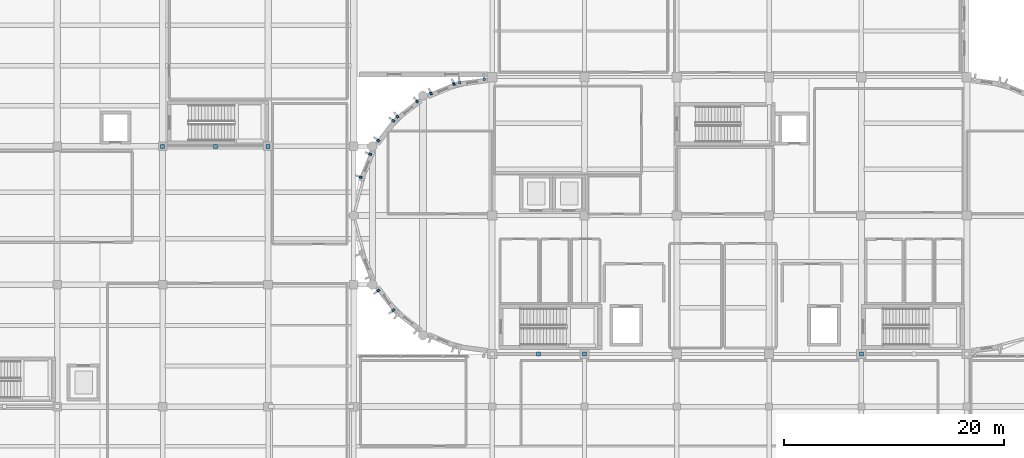
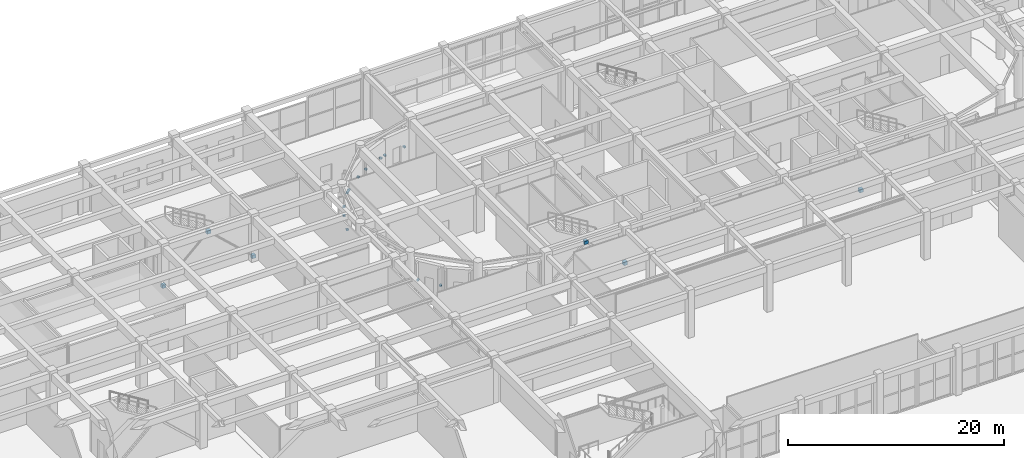
# One storey, part 81 of 98: 18 discrete accessories.
"""IFC4 building model written with IfcOpenShell, lengths in metres."""

from ifc_helpers import new_model, si_unit, direction, frame, origin, origin_2d, place, context, subcontext, project, spatial, rectangle, extrude, material, type_object, element, save


model = new_model("IFC4")

# Units and contexts
model_context = context("Model", 3, precision=1e-05, world=origin(), true_north=direction((0.0, 1.0)))
body_context = subcontext(model_context, "Body", "Model", "MODEL_VIEW")
ifc_project = project(units=[si_unit("LENGTHUNIT", "METRE"), si_unit("AREAUNIT", "SQUARE_METRE"), si_unit("VOLUMEUNIT", "CUBIC_METRE"), si_unit("PLANEANGLEUNIT", "RADIAN"), si_unit("MASSUNIT", "GRAM", prefix="KILO")], contexts=[model_context])

# Site, building, storey
site_placement = place(None, origin())
site = spatial("IfcSite", under=ifc_project, at=site_placement, CompositionType="ELEMENT")
building_placement = place(site_placement, origin())
building = spatial("IfcBuilding", under=site, at=building_placement, Name="Tarnavel Promenade Courthouse", CompositionType="ELEMENT")
storey_placement = place(building_placement, origin())
storey = spatial("IfcBuildingStorey", under=building, at=storey_placement, Name="L01", CompositionType="ELEMENT", Elevation=0.0)

# Discrete accessories
ifc_material = material(Name="Steel S355J2", Category="steel")
discrete_accessory_type_1 = type_object("IfcDiscreteAccessoryType", Name="Steel S355J2 Facade Pier Anchor Bracket", PredefinedType="BRACKET", material=ifc_material)
for number, where, z_axis, x_axis, name in (
    (1, (58.074462890625, 104.20361328125, 2.044921875), (0.0, 0.0, 1.0), (-0.991444861374, -0.13052619222, 0.0), "L01 Drum Pier Bracket 0001"),
    (2, (55.82958984375, 103.908203125, 2.044921875), (0.0, 0.0, 1.0), (-0.991444861374, -0.13052619222, 0.0), "L01 Drum Pier Bracket 0002"),
    (3, (55.318603515625, 103.77099609375, 1.9951171875), (0.0, 0.0, 1.0), (-0.923879532511, -0.382683432365, 0.0), "L01 Drum Pier Bracket 0003"),
    (4, (53.2265625, 102.904541015625, 1.9951171875), (0.0, 0.0, 1.0), (-0.923879532511, -0.382683432365, 0.0), "L01 Drum Pier Bracket 0004"),
    (5, (51.9697265625, 102.178955078125, 1.9951171875), (0.0, 0.0, 1.0), (-0.793353340291, -0.608761429009, 0.0), "L01 Drum Pier Bracket 0005"),
    (6, (50.173583984375, 100.80078125, 1.9951171875), (0.0, 0.0, 1.0), (-0.793353340291, -0.608761429009, 0.0), "L01 Drum Pier Bracket 0006"),
    (7, (49.79931640625, 100.426513671875, 2.044921875), (0.0, 0.0, 1.0), (-0.608761429009, -0.793353340291, 0.0), "L01 Drum Pier Bracket 0007"),
    (8, (48.4208984375, 98.630126953125, 2.044921875), (0.0, 0.0, 1.0), (-0.608761429009, -0.793353340291, 0.0), "L01 Drum Pier Bracket 0008"),
    (9, (47.6953125, 97.373291015625, 2.044921875), (0.0, 0.0, 1.0), (-0.382683432365, -0.923879532511, 0.0), "L01 Drum Pier Bracket 0009"),
    (10, (46.828857421875, 95.281494140625, 2.044921875), (0.0, 0.0, 1.0), (-0.382683432365, -0.923879532511, 0.0), "L01 Drum Pier Bracket 0010"),
    (11, (48.4208984375, 84.9697265625, 2.044921875), (0.0, 0.0, 1.0), (0.608761429009, -0.793353340291, 0.0), "L01 Drum Pier Bracket 0013"),
    (12, (49.79931640625, 83.173583984375, 2.044921875), (0.0, 0.0, 1.0), (0.608761429009, -0.793353340291, 0.0), "L01 Drum Pier Bracket 0014"),
):
    element("IfcDiscreteAccessory", number, at=place(storey_placement, frame(where, z_axis=z_axis, x_axis=x_axis)), inside=storey, type_object=discrete_accessory_type_1, Name=name, PredefinedType="BRACKET", context=body_context, shape_type="SweptSolid", body=[
        extrude(rectangle(XDim=0.199951171875, YDim=0.260009765625, at=origin_2d()), origin(), (0.0, 0.0, 1.0), 0.179931640625),
    ])
discrete_accessory_type_2 = type_object("IfcDiscreteAccessoryType", Name="Steel S355J2 Structural Connection Bracket", PredefinedType="BRACKET", material=ifc_material)
for number, where, z_axis, x_axis, name in (
    (13, (63.0, 79.199951171875, 4.655029296875), (0.0, 0.0, 1.0), (1.0, 0.0, 0.0), "L01 V5 Chevron Brace Gusset Node 002-M"),
    (14, (67.199951171875, 79.199951171875, 0.80517578125), (0.0, 0.0, 1.0), (1.0, 0.0, 0.0), "L01 V5 Chevron Brace Gusset Node 002-R"),
    (15, (92.39990234375, 79.199951171875, 0.205078125), (0.0, 0.0, 1.0), (1.0, 0.0, 0.0), "L01 V5 Chevron Brace Gusset Node 012-L"),
    (16, (28.800048828125, 98.10009765625, 0.205078125), (0.0, 0.0, 1.0), (1.0, 0.0, 0.0), "L01 V2 Chevron Brace Gusset Node 036-L"),
    (17, (33.60009765625, 98.10009765625, 4.655029296875), (0.0, 0.0, 1.0), (1.0, 0.0, 0.0), "L01 V2 Chevron Brace Gusset Node 036-M"),
    (18, (38.39990234375, 98.10009765625, 0.205078125), (0.0, 0.0, 1.0), (1.0, 0.0, 0.0), "L01 V2 Chevron Brace Gusset Node 036-R"),
):
    element("IfcDiscreteAccessory", number, at=place(storey_placement, frame(where, z_axis=z_axis, x_axis=x_axis)), inside=storey, type_object=discrete_accessory_type_2, Name=name, PredefinedType="BRACKET", context=body_context, shape_type="SweptSolid", body=[
        extrude(rectangle(XDim=0.3798828125, YDim=0.360107421875, at=origin_2d()), origin(), (0.0, 0.0, 1.0), 0.3798828125),
    ])

save(model, "model.ifc")
